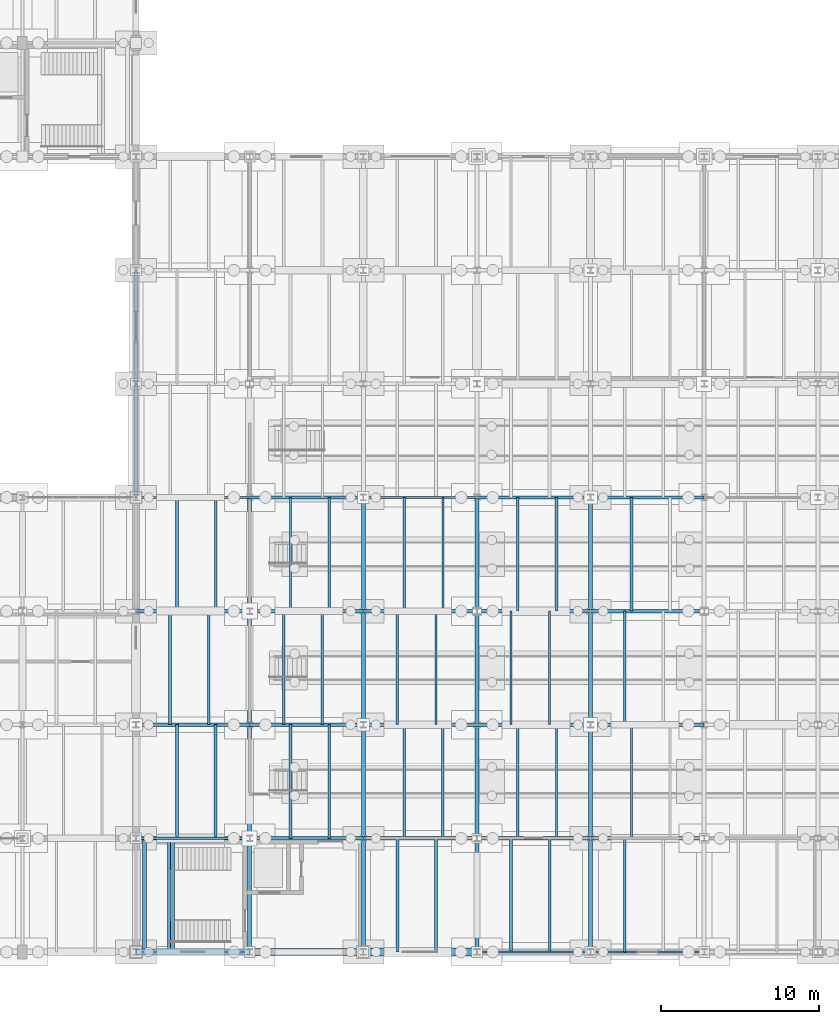
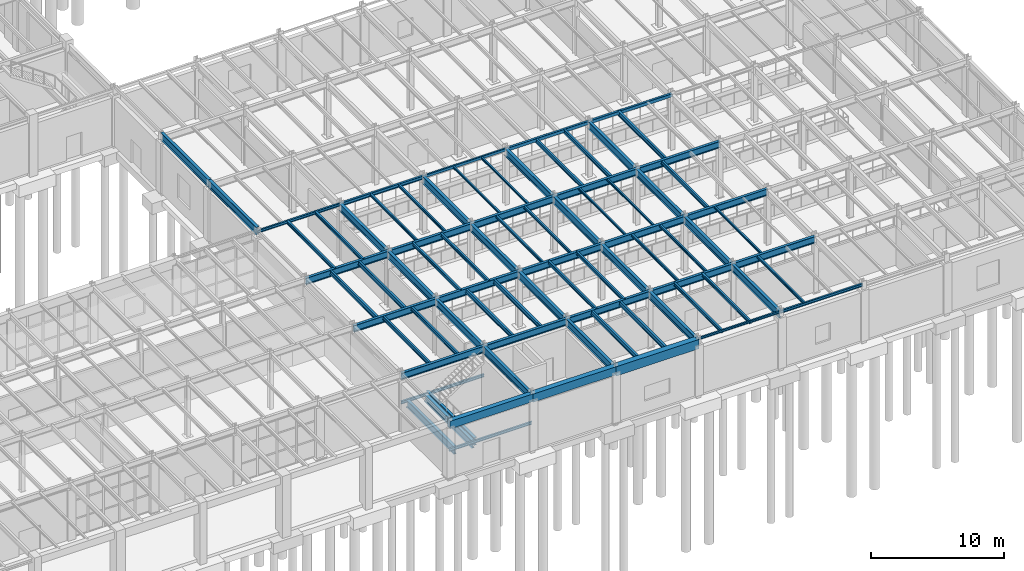
# One storey, part 161 of 293: 80 beams.
"""IFC4 building model written with IfcOpenShell, lengths in metres."""

from ifc_helpers import new_model, si_unit, direction, frame, origin, origin_2d, place, context, subcontext, project, spatial, rectangle, hollow_rectangle, i_section, extrude, material, material_profile, profile_set, type_object, element, save


model = new_model("IFC4")

# Units and contexts
model_context = context("Model", 3, precision=1e-05, world=origin(), true_north=direction((0.0, 1.0)))
body_context = subcontext(model_context, "Body", "Model", "MODEL_VIEW")
ifc_project = project(units=[si_unit("LENGTHUNIT", "METRE"), si_unit("AREAUNIT", "SQUARE_METRE"), si_unit("VOLUMEUNIT", "CUBIC_METRE"), si_unit("PLANEANGLEUNIT", "RADIAN"), si_unit("MASSUNIT", "GRAM", prefix="KILO")], contexts=[model_context])

# Site, building, storey
site_placement = place(None, origin())
site = spatial("IfcSite", under=ifc_project, at=site_placement, CompositionType="ELEMENT")
building_placement = place(site_placement, origin())
building = spatial("IfcBuilding", under=site, at=building_placement, Name="Kemerveld Promenade Tramway Depot", CompositionType="ELEMENT")
storey_placement = place(building_placement, origin())
storey = spatial("IfcBuildingStorey", under=building, at=storey_placement, Name="L00", CompositionType="ELEMENT", Elevation=0.0)

# Beams
ifc_material_1 = material(Name="Steel S355", Category="steel")
ifc_material_profile_1 = material_profile(ifc_material_1, i_section(OverallWidth=0.25439453125, OverallDepth=0.6875, WebThickness=0.01318359375, FlangeThickness=0.02099609375, FilletRadius=0.01513671875, at=origin_2d()), Name="686x254x152 UB")
ifc_profile_set_1 = profile_set([ifc_material_profile_1], Name="Steel S355")
beam_type_1 = type_object("IfcBeamType", Name="BM-G03", PredefinedType="BEAM", material=ifc_profile_set_1)
for number, where, z_axis, x_axis, name in (
    (1, (158.39990234375, 28.800048828125, 5.056396484375), (0.0, 1.0, 0.0), (-1.0, 0.0, 0.0), "BMY-L00-23-E-F"),
    (2, (158.39990234375, 36.0, 5.056396484375), (0.0, 1.0, 0.0), (-1.0, 0.0, 0.0), "BMY-L00-23-F-G"),
    (3, (165.60009765625, 0.0, 4.7763671875), (0.0, 1.0, 0.0), (-1.0, 0.0, 0.0), "BMY-L00-24-A-B"),
    (4, (165.60009765625, 7.199951171875, 4.7763671875), (0.0, 1.0, 0.0), (-1.0, 0.0, 0.0), "BMY-L00-24-B-C"),
):
    element("IfcBeam", number, at=place(storey_placement, frame(where, z_axis=z_axis, x_axis=x_axis)), inside=storey, type_object=beam_type_1, Name=name, PredefinedType="BEAM", context=body_context, shape_type="SweptSolid", body=[
        extrude(i_section(OverallWidth=0.25439453125, OverallDepth=0.6875, WebThickness=0.01318359375, FlangeThickness=0.02099609375, FilletRadius=0.01513671875, at=origin_2d()), origin(), (0.0, 0.0, 1.0), 7.199951171875),
    ])
beam_1_placement = place(storey_placement, frame((165.60009765625, 14.39990234375, 4.7763671875), z_axis=(0.0, 1.0, 0.0), x_axis=(-1.0, 0.0, 0.0)))
element("IfcBeam", 5, at=beam_1_placement, inside=storey, type_object=beam_type_1, Name="BMY-L00-24-C-D", PredefinedType="BEAM", context=body_context, shape_type="SweptSolid", body=[
    extrude(i_section(OverallWidth=0.25439453125, OverallDepth=0.6875, WebThickness=0.01318359375, FlangeThickness=0.02099609375, FilletRadius=0.01513671875, at=origin_2d()), origin(), (0.0, 0.0, 1.0), 7.2001953125),
])
for number, where, z_axis, x_axis, name in (
    (6, (165.60009765625, 21.60009765625, 4.7763671875), (0.0, 1.0, 0.0), (-1.0, 0.0, 0.0), "BMY-L00-24-D-E"),
    (7, (172.800048828125, 0.0, 4.7763671875), (0.0, 1.0, 0.0), (-1.0, 0.0, 0.0), "BMY-L00-25-A-B"),
    (8, (172.800048828125, 7.199951171875, 4.7763671875), (0.0, 1.0, 0.0), (-1.0, 0.0, 0.0), "BMY-L00-25-B-C"),
):
    element("IfcBeam", number, at=place(storey_placement, frame(where, z_axis=z_axis, x_axis=x_axis)), inside=storey, type_object=beam_type_1, Name=name, PredefinedType="BEAM", context=body_context, shape_type="SweptSolid", body=[
        extrude(i_section(OverallWidth=0.25439453125, OverallDepth=0.6875, WebThickness=0.01318359375, FlangeThickness=0.02099609375, FilletRadius=0.01513671875, at=origin_2d()), origin(), (0.0, 0.0, 1.0), 7.199951171875),
    ])
beam_2_placement = place(storey_placement, frame((172.800048828125, 14.39990234375, 4.7763671875), z_axis=(0.0, 1.0, 0.0), x_axis=(-1.0, 0.0, 0.0)))
element("IfcBeam", 9, at=beam_2_placement, inside=storey, type_object=beam_type_1, Name="BMY-L00-25-C-D", PredefinedType="BEAM", context=body_context, shape_type="SweptSolid", body=[
    extrude(i_section(OverallWidth=0.25439453125, OverallDepth=0.6875, WebThickness=0.01318359375, FlangeThickness=0.02099609375, FilletRadius=0.01513671875, at=origin_2d()), origin(), (0.0, 0.0, 1.0), 7.2001953125),
])
for number, where, z_axis, x_axis, name in (
    (10, (172.800048828125, 21.60009765625, 4.7763671875), (0.0, 1.0, 0.0), (-1.0, 0.0, 0.0), "BMY-L00-25-D-E"),
    (11, (180.0, 0.0, 4.7763671875), (0.0, 1.0, 0.0), (-1.0, 0.0, 0.0), "BMY-L00-26-A-B"),
    (12, (180.0, 7.199951171875, 4.7763671875), (0.0, 1.0, 0.0), (-1.0, 0.0, 0.0), "BMY-L00-26-B-C"),
):
    element("IfcBeam", number, at=place(storey_placement, frame(where, z_axis=z_axis, x_axis=x_axis)), inside=storey, type_object=beam_type_1, Name=name, PredefinedType="BEAM", context=body_context, shape_type="SweptSolid", body=[
        extrude(i_section(OverallWidth=0.25439453125, OverallDepth=0.6875, WebThickness=0.01318359375, FlangeThickness=0.02099609375, FilletRadius=0.01513671875, at=origin_2d()), origin(), (0.0, 0.0, 1.0), 7.199951171875),
    ])
beam_3_placement = place(storey_placement, frame((180.0, 14.39990234375, 4.7763671875), z_axis=(0.0, 1.0, 0.0), x_axis=(-1.0, 0.0, 0.0)))
element("IfcBeam", 13, at=beam_3_placement, inside=storey, type_object=beam_type_1, Name="BMY-L00-26-C-D", PredefinedType="BEAM", context=body_context, shape_type="SweptSolid", body=[
    extrude(i_section(OverallWidth=0.25439453125, OverallDepth=0.6875, WebThickness=0.01318359375, FlangeThickness=0.02099609375, FilletRadius=0.01513671875, at=origin_2d()), origin(), (0.0, 0.0, 1.0), 7.2001953125),
])
for number, where, z_axis, x_axis, name in (
    (14, (180.0, 21.60009765625, 4.7763671875), (0.0, 1.0, 0.0), (-1.0, 0.0, 0.0), "BMY-L00-26-D-E"),
    (15, (187.199951171875, 0.0, 4.7763671875), (0.0, 1.0, 0.0), (-1.0, 0.0, 0.0), "BMY-L00-27-A-B"),
    (16, (187.199951171875, 7.199951171875, 4.7763671875), (0.0, 1.0, 0.0), (-1.0, 0.0, 0.0), "BMY-L00-27-B-C"),
):
    element("IfcBeam", number, at=place(storey_placement, frame(where, z_axis=z_axis, x_axis=x_axis)), inside=storey, type_object=beam_type_1, Name=name, PredefinedType="BEAM", context=body_context, shape_type="SweptSolid", body=[
        extrude(i_section(OverallWidth=0.25439453125, OverallDepth=0.6875, WebThickness=0.01318359375, FlangeThickness=0.02099609375, FilletRadius=0.01513671875, at=origin_2d()), origin(), (0.0, 0.0, 1.0), 7.199951171875),
    ])
beam_4_placement = place(storey_placement, frame((187.199951171875, 14.39990234375, 4.7763671875), z_axis=(0.0, 1.0, 0.0), x_axis=(-1.0, 0.0, 0.0)))
element("IfcBeam", 17, at=beam_4_placement, inside=storey, type_object=beam_type_1, Name="BMY-L00-27-C-D", PredefinedType="BEAM", context=body_context, shape_type="SweptSolid", body=[
    extrude(i_section(OverallWidth=0.25439453125, OverallDepth=0.6875, WebThickness=0.01318359375, FlangeThickness=0.02099609375, FilletRadius=0.01513671875, at=origin_2d()), origin(), (0.0, 0.0, 1.0), 7.2001953125),
])
for number, where, z_axis, x_axis, name in (
    (18, (187.199951171875, 21.60009765625, 4.7763671875), (0.0, 1.0, 0.0), (-1.0, 0.0, 0.0), "BMY-L00-27-D-E"),
    (19, (158.949951171875, 0.0, 2.15625), (0.0, 1.0, 0.0), (-1.0, 0.0, 0.0), "BM-HL-ST-05-L00-W"),
    (20, (160.510009765625, 0.0, 2.15625), (0.0, 1.0, 0.0), (-1.0, 0.0, 0.0), "BM-HL-ST-05-L00-M"),
    (21, (160.699951171875, 0.0, 2.356201171875), (0.0, 1.0, 0.0), (-1.0, 0.0, 0.0), "BM-HL-ST-05-L00-F2"),
):
    element("IfcBeam", number, at=place(storey_placement, frame(where, z_axis=z_axis, x_axis=x_axis)), inside=storey, type_object=beam_type_1, Name=name, PredefinedType="BEAM", context=body_context, shape_type="SweptSolid", body=[
        extrude(i_section(OverallWidth=0.25439453125, OverallDepth=0.6875, WebThickness=0.01318359375, FlangeThickness=0.02099609375, FilletRadius=0.01513671875, at=origin_2d()), origin(), (0.0, 0.0, 1.0), 7.199951171875),
    ])
ifc_material_profile_2 = material_profile(ifc_material_1, i_section(OverallWidth=0.22900390625, OverallDepth=0.6123046875, WebThickness=0.011962890625, FlangeThickness=0.01953125, FilletRadius=0.0126953125, at=origin_2d()), Name="610x229x125 UB")
ifc_profile_set_2 = profile_set([ifc_material_profile_2], Name="Steel S355")
beam_type_2 = type_object("IfcBeamType", Name="BM-G04", PredefinedType="BEAM", material=ifc_profile_set_2)
beam_5_placement = place(storey_placement, frame((158.39990234375, 7.199951171875, 4.81396484375), z_axis=(1.0, 0.0, 0.0), x_axis=(0.0, 1.0, 0.0)))
element("IfcBeam", 22, at=beam_5_placement, inside=storey, type_object=beam_type_2, Name="BMX-L00-23-24-B", PredefinedType="BEAM", context=body_context, shape_type="SweptSolid", body=[
    extrude(i_section(OverallWidth=0.22900390625, OverallDepth=0.6123046875, WebThickness=0.011962890625, FlangeThickness=0.01953125, FilletRadius=0.0126953125, at=origin_2d()), origin(), (0.0, 0.0, 1.0), 7.2001953125),
])
for number, where, z_axis, x_axis, name in (
    (23, (165.60009765625, 7.199951171875, 4.81396484375), (1.0, 0.0, 0.0), (0.0, 1.0, 0.0), "BMX-L00-24-25-B"),
    (24, (172.800048828125, 7.199951171875, 4.81396484375), (1.0, 0.0, 0.0), (0.0, 1.0, 0.0), "BMX-L00-25-26-B"),
    (25, (180.0, 7.199951171875, 4.81396484375), (1.0, 0.0, 0.0), (0.0, 1.0, 0.0), "BMX-L00-26-27-B"),
    (26, (187.199951171875, 7.199951171875, 4.81396484375), (1.0, 0.0, 0.0), (0.0, 1.0, 0.0), "BMX-L00-27-28-B"),
):
    element("IfcBeam", number, at=place(storey_placement, frame(where, z_axis=z_axis, x_axis=x_axis)), inside=storey, type_object=beam_type_2, Name=name, PredefinedType="BEAM", context=body_context, shape_type="SweptSolid", body=[
        extrude(i_section(OverallWidth=0.22900390625, OverallDepth=0.6123046875, WebThickness=0.011962890625, FlangeThickness=0.01953125, FilletRadius=0.0126953125, at=origin_2d()), origin(), (0.0, 0.0, 1.0), 7.199951171875),
    ])
beam_6_placement = place(storey_placement, frame((158.39990234375, 14.39990234375, 4.81396484375), z_axis=(1.0, 0.0, 0.0), x_axis=(0.0, 1.0, 0.0)))
element("IfcBeam", 27, at=beam_6_placement, inside=storey, type_object=beam_type_2, Name="BMX-L00-23-24-C", PredefinedType="BEAM", context=body_context, shape_type="SweptSolid", body=[
    extrude(i_section(OverallWidth=0.22900390625, OverallDepth=0.6123046875, WebThickness=0.011962890625, FlangeThickness=0.01953125, FilletRadius=0.0126953125, at=origin_2d()), origin(), (0.0, 0.0, 1.0), 7.2001953125),
])
for number, where, z_axis, x_axis, name in (
    (28, (165.60009765625, 14.39990234375, 4.81396484375), (1.0, 0.0, 0.0), (0.0, 1.0, 0.0), "BMX-L00-24-25-C"),
    (29, (172.800048828125, 14.39990234375, 4.81396484375), (1.0, 0.0, 0.0), (0.0, 1.0, 0.0), "BMX-L00-25-26-C"),
    (30, (180.0, 14.39990234375, 4.81396484375), (1.0, 0.0, 0.0), (0.0, 1.0, 0.0), "BMX-L00-26-27-C"),
    (31, (187.199951171875, 14.39990234375, 4.81396484375), (1.0, 0.0, 0.0), (0.0, 1.0, 0.0), "BMX-L00-27-28-C"),
):
    element("IfcBeam", number, at=place(storey_placement, frame(where, z_axis=z_axis, x_axis=x_axis)), inside=storey, type_object=beam_type_2, Name=name, PredefinedType="BEAM", context=body_context, shape_type="SweptSolid", body=[
        extrude(i_section(OverallWidth=0.22900390625, OverallDepth=0.6123046875, WebThickness=0.011962890625, FlangeThickness=0.01953125, FilletRadius=0.0126953125, at=origin_2d()), origin(), (0.0, 0.0, 1.0), 7.199951171875),
    ])
beam_7_placement = place(storey_placement, frame((158.39990234375, 21.60009765625, 4.81396484375), z_axis=(1.0, 0.0, 0.0), x_axis=(0.0, 1.0, 0.0)))
element("IfcBeam", 32, at=beam_7_placement, inside=storey, type_object=beam_type_2, Name="BMX-L00-23-24-D", PredefinedType="BEAM", context=body_context, shape_type="SweptSolid", body=[
    extrude(i_section(OverallWidth=0.22900390625, OverallDepth=0.6123046875, WebThickness=0.011962890625, FlangeThickness=0.01953125, FilletRadius=0.0126953125, at=origin_2d()), origin(), (0.0, 0.0, 1.0), 7.2001953125),
])
for number, where, z_axis, x_axis, name in (
    (33, (165.60009765625, 21.60009765625, 4.81396484375), (1.0, 0.0, 0.0), (0.0, 1.0, 0.0), "BMX-L00-24-25-D"),
    (34, (172.800048828125, 21.60009765625, 4.81396484375), (1.0, 0.0, 0.0), (0.0, 1.0, 0.0), "BMX-L00-25-26-D"),
    (35, (180.0, 21.60009765625, 4.81396484375), (1.0, 0.0, 0.0), (0.0, 1.0, 0.0), "BMX-L00-26-27-D"),
    (36, (187.199951171875, 21.60009765625, 4.81396484375), (1.0, 0.0, 0.0), (0.0, 1.0, 0.0), "BMX-L00-27-28-D"),
):
    element("IfcBeam", number, at=place(storey_placement, frame(where, z_axis=z_axis, x_axis=x_axis)), inside=storey, type_object=beam_type_2, Name=name, PredefinedType="BEAM", context=body_context, shape_type="SweptSolid", body=[
        extrude(i_section(OverallWidth=0.22900390625, OverallDepth=0.6123046875, WebThickness=0.011962890625, FlangeThickness=0.01953125, FilletRadius=0.0126953125, at=origin_2d()), origin(), (0.0, 0.0, 1.0), 7.199951171875),
    ])
ifc_material_profile_3 = material_profile(ifc_material_1, i_section(OverallWidth=0.13330078125, OverallDepth=0.203125, WebThickness=0.005615234375, FlangeThickness=0.0078125, FilletRadius=0.007568359375, at=origin_2d()), Name="203x133x25 UB")
ifc_profile_set_3 = profile_set([ifc_material_profile_3], Name="Steel S355")
beam_type_3 = type_object("IfcBeamType", Name="BM-G14", PredefinedType="BEAM", material=ifc_profile_set_3)
beam_8_placement = place(storey_placement, frame((180.0, 0.0, 5.018310546875), z_axis=(1.0, 0.0, 0.0), x_axis=(0.0, 1.0, 0.0)))
element("IfcBeam", 37, at=beam_8_placement, inside=storey, type_object=beam_type_3, Name="BMX-L00-26-27-A", PredefinedType="BEAM", context=body_context, shape_type="SweptSolid", body=[
    extrude(i_section(OverallWidth=0.13330078125, OverallDepth=0.203125, WebThickness=0.005615234375, FlangeThickness=0.0078125, FilletRadius=0.007568359375, at=origin_2d()), origin(), (0.0, 0.0, 1.0), 7.199951171875),
])
ifc_material_profile_4 = material_profile(ifc_material_1, i_section(OverallWidth=0.146484375, OverallDepth=0.256103515625, WebThickness=0.00634765625, FlangeThickness=0.010986328125, FilletRadius=0.007568359375, at=origin_2d()), Name="254x146x37 UB")
ifc_profile_set_4 = profile_set([ifc_material_profile_4], Name="Steel S355")
beam_type_4 = type_object("IfcBeamType", Name="BM-G15", PredefinedType="BEAM", material=ifc_profile_set_4)
beam_9_placement = place(storey_placement, frame((187.199951171875, 0.0, 4.991943359375), z_axis=(1.0, 0.0, 0.0), x_axis=(0.0, 1.0, 0.0)))
element("IfcBeam", 38, at=beam_9_placement, inside=storey, type_object=beam_type_4, Name="BMX-L00-27-28-A", PredefinedType="BEAM", context=body_context, shape_type="SweptSolid", body=[
    extrude(i_section(OverallWidth=0.146484375, OverallDepth=0.256103515625, WebThickness=0.00634765625, FlangeThickness=0.010986328125, FilletRadius=0.007568359375, at=origin_2d()), origin(), (0.0, 0.0, 1.0), 7.199951171875),
])
beam_10_placement = place(storey_placement, frame((158.39990234375, 28.800048828125, 4.991943359375), z_axis=(1.0, 0.0, 0.0), x_axis=(0.0, 1.0, 0.0)))
element("IfcBeam", 39, at=beam_10_placement, inside=storey, type_object=beam_type_4, Name="BMX-L00-23-24-E", PredefinedType="BEAM", context=body_context, shape_type="SweptSolid", body=[
    extrude(i_section(OverallWidth=0.146484375, OverallDepth=0.256103515625, WebThickness=0.00634765625, FlangeThickness=0.010986328125, FilletRadius=0.007568359375, at=origin_2d()), origin(), (0.0, 0.0, 1.0), 7.2001953125),
])
ifc_material_profile_5 = material_profile(ifc_material_1, i_section(OverallWidth=0.165771484375, OverallDepth=0.306640625, WebThickness=0.006591796875, FlangeThickness=0.01171875, FilletRadius=0.0087890625, at=origin_2d()), Name="305x165x46 UB")
ifc_profile_set_5 = profile_set([ifc_material_profile_5], Name="Steel S355")
beam_type_5 = type_object("IfcBeamType", Name="BM-G16", PredefinedType="BEAM", material=ifc_profile_set_5)
beam_11_placement = place(storey_placement, frame((165.60009765625, 28.800048828125, 4.966796875), z_axis=(1.0, 0.0, 0.0), x_axis=(0.0, 1.0, 0.0)))
element("IfcBeam", 40, at=beam_11_placement, inside=storey, type_object=beam_type_5, Name="BMX-L00-24-25-E", PredefinedType="BEAM", context=body_context, shape_type="SweptSolid", body=[
    extrude(i_section(OverallWidth=0.165771484375, OverallDepth=0.306640625, WebThickness=0.006591796875, FlangeThickness=0.01171875, FilletRadius=0.0087890625, at=origin_2d()), origin(), (0.0, 0.0, 1.0), 7.199951171875),
])
ifc_material_profile_6 = material_profile(ifc_material_1, hollow_rectangle(XDim=0.14990234375, YDim=0.25, WallThickness=0.010009765625, InnerFilletRadius=0.0048828125, OuterFilletRadius=0.014892578125, at=origin_2d()), Name="250x150x10.0 RHS")
ifc_profile_set_6 = profile_set([ifc_material_profile_6], Name="Steel S355")
beam_type_6 = type_object("IfcBeamType", Name="BM-G17", PredefinedType="BEAM", material=ifc_profile_set_6)
beam_12_placement = place(storey_placement, frame((172.800048828125, 28.800048828125, 4.9951171875), z_axis=(1.0, 0.0, 0.0), x_axis=(0.0, 1.0, 0.0)))
element("IfcBeam", 41, at=beam_12_placement, inside=storey, type_object=beam_type_6, Name="BMX-L00-25-26-E", PredefinedType="BEAM", context=body_context, shape_type="SweptSolid", body=[
    extrude(hollow_rectangle(XDim=0.14990234375, YDim=0.25, WallThickness=0.010009765625, InnerFilletRadius=0.0048828125, OuterFilletRadius=0.014892578125, at=origin_2d()), origin(), (0.0, 0.0, 1.0), 7.199951171875),
])
ifc_material_profile_7 = material_profile(ifc_material_1, hollow_rectangle(XDim=0.199951171875, YDim=0.300048828125, WallThickness=0.012451171875, InnerFilletRadius=0.00634765625, OuterFilletRadius=0.018798828125, at=origin_2d()), Name="300x200x12.5 RHS")
ifc_profile_set_7 = profile_set([ifc_material_profile_7], Name="Steel S355")
beam_type_7 = type_object("IfcBeamType", Name="BM-G18", PredefinedType="BEAM", material=ifc_profile_set_7)
beam_13_placement = place(storey_placement, frame((180.0, 28.800048828125, 4.969970703125), z_axis=(1.0, 0.0, 0.0), x_axis=(0.0, 1.0, 0.0)))
element("IfcBeam", 42, at=beam_13_placement, inside=storey, type_object=beam_type_7, Name="BMX-L00-26-27-E", PredefinedType="BEAM", context=body_context, shape_type="SweptSolid", body=[
    extrude(hollow_rectangle(XDim=0.199951171875, YDim=0.300048828125, WallThickness=0.012451171875, InnerFilletRadius=0.00634765625, OuterFilletRadius=0.018798828125, at=origin_2d()), origin(), (0.0, 0.0, 1.0), 7.199951171875),
])
ifc_material_profile_8 = material_profile(ifc_material_1, i_section(OverallWidth=0.165771484375, OverallDepth=0.306640625, WebThickness=0.006591796875, FlangeThickness=0.01171875, FilletRadius=0.0087890625, at=origin_2d()), Name="305x165x46 UB")
ifc_profile_set_8 = profile_set([ifc_material_profile_8], Name="Steel S355")
beam_type_8 = type_object("IfcBeamType", Name="BM-J01", PredefinedType="JOIST", material=ifc_profile_set_8)
for number, where, z_axis, x_axis, name in (
    (43, (160.991943359375, 21.60009765625, 4.966796875), (0.0, 1.0, 0.0), (-1.0, 0.0, 0.0), "JST-L00-23-D-1"),
    (44, (163.43994140625, 21.60009765625, 4.966796875), (0.0, 1.0, 0.0), (-1.0, 0.0, 0.0), "JST-L00-23-D-2"),
):
    element("IfcBeam", number, at=place(storey_placement, frame(where, z_axis=z_axis, x_axis=x_axis)), inside=storey, type_object=beam_type_8, Name=name, PredefinedType="JOIST", context=body_context, shape_type="SweptSolid", body=[
        extrude(i_section(OverallWidth=0.165771484375, OverallDepth=0.306640625, WebThickness=0.006591796875, FlangeThickness=0.01171875, FilletRadius=0.0087890625, at=origin_2d()), origin(), (0.0, 0.0, 1.0), 7.199951171875),
    ])
for number, where, z_axis, x_axis, name in (
    (45, (167.760009765625, 14.39990234375, 4.966796875), (0.0, 1.0, 0.0), (-1.0, 0.0, 0.0), "JST-L00-24-C-1"),
    (46, (170.2080078125, 14.39990234375, 4.966796875), (0.0, 1.0, 0.0), (-1.0, 0.0, 0.0), "JST-L00-24-C-2"),
):
    element("IfcBeam", number, at=place(storey_placement, frame(where, z_axis=z_axis, x_axis=x_axis)), inside=storey, type_object=beam_type_8, Name=name, PredefinedType="JOIST", context=body_context, shape_type="SweptSolid", body=[
        extrude(i_section(OverallWidth=0.165771484375, OverallDepth=0.306640625, WebThickness=0.006591796875, FlangeThickness=0.01171875, FilletRadius=0.0087890625, at=origin_2d()), origin(), (0.0, 0.0, 1.0), 7.2001953125),
    ])
for number, where, z_axis, x_axis, name in (
    (47, (175.39208984375, 7.199951171875, 4.966796875), (0.0, 1.0, 0.0), (-1.0, 0.0, 0.0), "JST-L00-25-B-1"),
    (48, (177.840087890625, 7.199951171875, 4.966796875), (0.0, 1.0, 0.0), (-1.0, 0.0, 0.0), "JST-L00-25-B-2"),
    (49, (182.159912109375, 0.0, 4.966796875), (0.0, 1.0, 0.0), (-1.0, 0.0, 0.0), "JST-L00-26-A-1"),
    (50, (184.60791015625, 0.0, 4.966796875), (0.0, 1.0, 0.0), (-1.0, 0.0, 0.0), "JST-L00-26-A-2"),
):
    element("IfcBeam", number, at=place(storey_placement, frame(where, z_axis=z_axis, x_axis=x_axis)), inside=storey, type_object=beam_type_8, Name=name, PredefinedType="JOIST", context=body_context, shape_type="SweptSolid", body=[
        extrude(i_section(OverallWidth=0.165771484375, OverallDepth=0.306640625, WebThickness=0.006591796875, FlangeThickness=0.01171875, FilletRadius=0.0087890625, at=origin_2d()), origin(), (0.0, 0.0, 1.0), 7.199951171875),
    ])
ifc_material_profile_9 = material_profile(ifc_material_1, i_section(OverallWidth=0.146484375, OverallDepth=0.256103515625, WebThickness=0.00634765625, FlangeThickness=0.010986328125, FilletRadius=0.007568359375, at=origin_2d()), Name="254x146x37 UB")
ifc_profile_set_9 = profile_set([ifc_material_profile_9], Name="Steel S355")
beam_type_9 = type_object("IfcBeamType", Name="BM-J02", PredefinedType="JOIST", material=ifc_profile_set_9)
for number, where, z_axis, x_axis, name in (
    (51, (168.19189453125, 21.60009765625, 4.991943359375), (0.0, 1.0, 0.0), (-1.0, 0.0, 0.0), "JST-L00-24-D-1"),
    (52, (170.639892578125, 21.60009765625, 4.991943359375), (0.0, 1.0, 0.0), (-1.0, 0.0, 0.0), "JST-L00-24-D-2"),
):
    element("IfcBeam", number, at=place(storey_placement, frame(where, z_axis=z_axis, x_axis=x_axis)), inside=storey, type_object=beam_type_9, Name=name, PredefinedType="JOIST", context=body_context, shape_type="SweptSolid", body=[
        extrude(i_section(OverallWidth=0.146484375, OverallDepth=0.256103515625, WebThickness=0.00634765625, FlangeThickness=0.010986328125, FilletRadius=0.007568359375, at=origin_2d()), origin(), (0.0, 0.0, 1.0), 7.199951171875),
    ])
for number, where, z_axis, x_axis, name in (
    (53, (174.9599609375, 14.39990234375, 4.991943359375), (0.0, 1.0, 0.0), (-1.0, 0.0, 0.0), "JST-L00-25-C-1"),
    (54, (177.407958984375, 14.39990234375, 4.991943359375), (0.0, 1.0, 0.0), (-1.0, 0.0, 0.0), "JST-L00-25-C-2"),
):
    element("IfcBeam", number, at=place(storey_placement, frame(where, z_axis=z_axis, x_axis=x_axis)), inside=storey, type_object=beam_type_9, Name=name, PredefinedType="JOIST", context=body_context, shape_type="SweptSolid", body=[
        extrude(i_section(OverallWidth=0.146484375, OverallDepth=0.256103515625, WebThickness=0.00634765625, FlangeThickness=0.010986328125, FilletRadius=0.007568359375, at=origin_2d()), origin(), (0.0, 0.0, 1.0), 7.2001953125),
    ])
for number, where, z_axis, x_axis, name in (
    (55, (182.592041015625, 7.199951171875, 4.991943359375), (0.0, 1.0, 0.0), (-1.0, 0.0, 0.0), "JST-L00-26-B-1"),
    (56, (185.0400390625, 7.199951171875, 4.991943359375), (0.0, 1.0, 0.0), (-1.0, 0.0, 0.0), "JST-L00-26-B-2"),
    (57, (189.360107421875, 0.0, 4.991943359375), (0.0, 1.0, 0.0), (-1.0, 0.0, 0.0), "JST-L00-27-A-1"),
):
    element("IfcBeam", number, at=place(storey_placement, frame(where, z_axis=z_axis, x_axis=x_axis)), inside=storey, type_object=beam_type_9, Name=name, PredefinedType="JOIST", context=body_context, shape_type="SweptSolid", body=[
        extrude(i_section(OverallWidth=0.146484375, OverallDepth=0.256103515625, WebThickness=0.00634765625, FlangeThickness=0.010986328125, FilletRadius=0.007568359375, at=origin_2d()), origin(), (0.0, 0.0, 1.0), 7.199951171875),
    ])
for number, where, z_axis, x_axis, name in (
    (58, (158.39990234375, 0.0, 2.3720703125), (1.0, 0.0, 0.0), (0.0, 1.0, 0.0), "BM-HLY-ST-05-L00-S"),
    (59, (158.39990234375, 7.199951171875, 2.3720703125), (1.0, 0.0, 0.0), (0.0, 1.0, 0.0), "BM-HLY-ST-05-L00-N"),
):
    element("IfcBeam", number, at=place(storey_placement, frame(where, z_axis=z_axis, x_axis=x_axis)), inside=storey, type_object=beam_type_9, Name=name, PredefinedType="JOIST", context=body_context, shape_type="SweptSolid", body=[
        extrude(i_section(OverallWidth=0.146484375, OverallDepth=0.256103515625, WebThickness=0.00634765625, FlangeThickness=0.010986328125, FilletRadius=0.007568359375, at=origin_2d()), origin(), (0.0, 0.0, 1.0), 7.2001953125),
    ])
ifc_material_profile_10 = material_profile(ifc_material_1, i_section(OverallWidth=0.13330078125, OverallDepth=0.203125, WebThickness=0.005615234375, FlangeThickness=0.0078125, FilletRadius=0.007568359375, at=origin_2d()), Name="203x133x25 UB")
ifc_profile_set_10 = profile_set([ifc_material_profile_10], Name="Steel S355")
beam_type_10 = type_object("IfcBeamType", Name="BM-J03", PredefinedType="JOIST", material=ifc_profile_set_10)
for number, where, z_axis, x_axis, name in (
    (60, (175.39208984375, 21.60009765625, 5.018310546875), (0.0, 1.0, 0.0), (-1.0, 0.0, 0.0), "JST-L00-25-D-1"),
    (61, (177.840087890625, 21.60009765625, 5.018310546875), (0.0, 1.0, 0.0), (-1.0, 0.0, 0.0), "JST-L00-25-D-2"),
):
    element("IfcBeam", number, at=place(storey_placement, frame(where, z_axis=z_axis, x_axis=x_axis)), inside=storey, type_object=beam_type_10, Name=name, PredefinedType="JOIST", context=body_context, shape_type="SweptSolid", body=[
        extrude(i_section(OverallWidth=0.13330078125, OverallDepth=0.203125, WebThickness=0.005615234375, FlangeThickness=0.0078125, FilletRadius=0.007568359375, at=origin_2d()), origin(), (0.0, 0.0, 1.0), 7.199951171875),
    ])
for number, where, z_axis, x_axis, name in (
    (62, (182.159912109375, 14.39990234375, 5.018310546875), (0.0, 1.0, 0.0), (-1.0, 0.0, 0.0), "JST-L00-26-C-1"),
    (63, (184.60791015625, 14.39990234375, 5.018310546875), (0.0, 1.0, 0.0), (-1.0, 0.0, 0.0), "JST-L00-26-C-2"),
):
    element("IfcBeam", number, at=place(storey_placement, frame(where, z_axis=z_axis, x_axis=x_axis)), inside=storey, type_object=beam_type_10, Name=name, PredefinedType="JOIST", context=body_context, shape_type="SweptSolid", body=[
        extrude(i_section(OverallWidth=0.13330078125, OverallDepth=0.203125, WebThickness=0.005615234375, FlangeThickness=0.0078125, FilletRadius=0.007568359375, at=origin_2d()), origin(), (0.0, 0.0, 1.0), 7.2001953125),
    ])
beam_14_placement = place(storey_placement, frame((189.7919921875, 7.199951171875, 5.018310546875), z_axis=(0.0, 1.0, 0.0), x_axis=(-1.0, 0.0, 0.0)))
element("IfcBeam", 64, at=beam_14_placement, inside=storey, type_object=beam_type_10, Name="JST-L00-27-B-1", PredefinedType="JOIST", context=body_context, shape_type="SweptSolid", body=[
    extrude(i_section(OverallWidth=0.13330078125, OverallDepth=0.203125, WebThickness=0.005615234375, FlangeThickness=0.0078125, FilletRadius=0.007568359375, at=origin_2d()), origin(), (0.0, 0.0, 1.0), 7.199951171875),
])
ifc_material_profile_11 = material_profile(ifc_material_1, i_section(OverallWidth=0.172119140625, OverallDepth=0.35791015625, WebThickness=0.008056640625, FlangeThickness=0.012939453125, FilletRadius=0.01025390625, at=origin_2d()), Name="356x171x57 UB")
ifc_profile_set_11 = profile_set([ifc_material_profile_11], Name="Steel S355")
beam_type_11 = type_object("IfcBeamType", Name="BM-J04", PredefinedType="JOIST", material=ifc_profile_set_11)
for number, where, z_axis, x_axis, name in (
    (65, (160.991943359375, 7.199951171875, 4.94091796875), (0.0, 1.0, 0.0), (-1.0, 0.0, 0.0), "JST-L00-23-B-1"),
    (66, (163.43994140625, 7.199951171875, 4.94091796875), (0.0, 1.0, 0.0), (-1.0, 0.0, 0.0), "JST-L00-23-B-2"),
    (67, (182.592041015625, 21.60009765625, 4.94091796875), (0.0, 1.0, 0.0), (-1.0, 0.0, 0.0), "JST-L00-26-D-1"),
    (68, (185.0400390625, 21.60009765625, 4.94091796875), (0.0, 1.0, 0.0), (-1.0, 0.0, 0.0), "JST-L00-26-D-2"),
):
    element("IfcBeam", number, at=place(storey_placement, frame(where, z_axis=z_axis, x_axis=x_axis)), inside=storey, type_object=beam_type_11, Name=name, PredefinedType="JOIST", context=body_context, shape_type="SweptSolid", body=[
        extrude(i_section(OverallWidth=0.172119140625, OverallDepth=0.35791015625, WebThickness=0.008056640625, FlangeThickness=0.012939453125, FilletRadius=0.01025390625, at=origin_2d()), origin(), (0.0, 0.0, 1.0), 7.199951171875),
    ])
beam_15_placement = place(storey_placement, frame((189.360107421875, 14.39990234375, 4.94091796875), z_axis=(0.0, 1.0, 0.0), x_axis=(-1.0, 0.0, 0.0)))
element("IfcBeam", 69, at=beam_15_placement, inside=storey, type_object=beam_type_11, Name="JST-L00-27-C-1", PredefinedType="JOIST", context=body_context, shape_type="SweptSolid", body=[
    extrude(i_section(OverallWidth=0.172119140625, OverallDepth=0.35791015625, WebThickness=0.008056640625, FlangeThickness=0.012939453125, FilletRadius=0.01025390625, at=origin_2d()), origin(), (0.0, 0.0, 1.0), 7.2001953125),
])
ifc_material_profile_12 = material_profile(ifc_material_1, i_section(OverallWidth=0.1787109375, OverallDepth=0.409423828125, WebThickness=0.0087890625, FlangeThickness=0.014404296875, FilletRadius=0.01025390625, at=origin_2d()), Name="406x178x67 UB")
ifc_profile_set_12 = profile_set([ifc_material_profile_12], Name="Steel S355")
beam_type_12 = type_object("IfcBeamType", Name="BM-J05", PredefinedType="JOIST", material=ifc_profile_set_12)
for number, where, z_axis, x_axis, name in (
    (70, (160.56005859375, 14.39990234375, 4.915283203125), (0.0, 1.0, 0.0), (-1.0, 0.0, 0.0), "JST-L00-23-C-1"),
    (71, (163.008056640625, 14.39990234375, 4.915283203125), (0.0, 1.0, 0.0), (-1.0, 0.0, 0.0), "JST-L00-23-C-2"),
):
    element("IfcBeam", number, at=place(storey_placement, frame(where, z_axis=z_axis, x_axis=x_axis)), inside=storey, type_object=beam_type_12, Name=name, PredefinedType="JOIST", context=body_context, shape_type="SweptSolid", body=[
        extrude(i_section(OverallWidth=0.1787109375, OverallDepth=0.409423828125, WebThickness=0.0087890625, FlangeThickness=0.014404296875, FilletRadius=0.01025390625, at=origin_2d()), origin(), (0.0, 0.0, 1.0), 7.2001953125),
    ])
for number, where, z_axis, x_axis, name in (
    (72, (168.19189453125, 7.199951171875, 4.915283203125), (0.0, 1.0, 0.0), (-1.0, 0.0, 0.0), "JST-L00-24-B-1"),
    (73, (170.639892578125, 7.199951171875, 4.915283203125), (0.0, 1.0, 0.0), (-1.0, 0.0, 0.0), "JST-L00-24-B-2"),
    (74, (174.9599609375, 0.0, 4.915283203125), (0.0, 1.0, 0.0), (-1.0, 0.0, 0.0), "JST-L00-25-A-1"),
    (75, (177.407958984375, 0.0, 4.915283203125), (0.0, 1.0, 0.0), (-1.0, 0.0, 0.0), "JST-L00-25-A-2"),
    (76, (189.7919921875, 21.60009765625, 4.915283203125), (0.0, 1.0, 0.0), (-1.0, 0.0, 0.0), "JST-L00-27-D-1"),
):
    element("IfcBeam", number, at=place(storey_placement, frame(where, z_axis=z_axis, x_axis=x_axis)), inside=storey, type_object=beam_type_12, Name=name, PredefinedType="JOIST", context=body_context, shape_type="SweptSolid", body=[
        extrude(i_section(OverallWidth=0.1787109375, OverallDepth=0.409423828125, WebThickness=0.0087890625, FlangeThickness=0.014404296875, FilletRadius=0.01025390625, at=origin_2d()), origin(), (0.0, 0.0, 1.0), 7.199951171875),
    ])
ifc_material_2 = material(Name="Concrete C40/50", Category="concrete")
ifc_material_profile_13 = material_profile(ifc_material_2, rectangle(XDim=0.39990234375, YDim=0.699951171875, at=origin_2d()), Name="RC-BM-400x700")
ifc_profile_set_13 = profile_set([ifc_material_profile_13], Name="Concrete C40/50")
beam_type_13 = type_object("IfcBeamType", Name="BM-RC5", PredefinedType="BEAM", material=ifc_profile_set_13)
beam_16_placement = place(storey_placement, frame((158.39990234375, 0.0, 4.77001953125), z_axis=(1.0, 0.0, 0.0), x_axis=(0.0, 1.0, 0.0)))
element("IfcBeam", 77, at=beam_16_placement, inside=storey, type_object=beam_type_13, Name="BMX-L00-23-24-A", PredefinedType="BEAM", context=body_context, shape_type="SweptSolid", body=[
    extrude(rectangle(XDim=0.39990234375, YDim=0.699951171875, at=origin_2d()), origin(), (0.0, 0.0, 1.0), 7.2001953125),
])
ifc_material_profile_14 = material_profile(ifc_material_2, rectangle(XDim=0.449951171875, YDim=0.75, at=origin_2d()), Name="RC-BM-450x750")
ifc_profile_set_14 = profile_set([ifc_material_profile_14], Name="Concrete C40/50")
beam_type_14 = type_object("IfcBeamType", Name="BM-RC6", PredefinedType="BEAM", material=ifc_profile_set_14)
beam_17_placement = place(storey_placement, frame((165.60009765625, 0.0, 4.7451171875), z_axis=(1.0, 0.0, 0.0), x_axis=(0.0, 1.0, 0.0)))
element("IfcBeam", 78, at=beam_17_placement, inside=storey, type_object=beam_type_14, Name="BMX-L00-24-25-A", PredefinedType="BEAM", context=body_context, shape_type="SweptSolid", body=[
    extrude(rectangle(XDim=0.449951171875, YDim=0.75, at=origin_2d()), origin(), (0.0, 0.0, 1.0), 7.199951171875),
])
ifc_material_profile_15 = material_profile(ifc_material_2, rectangle(XDim=0.5, YDim=0.85009765625, at=origin_2d()), Name="RC-BM-500x850")
ifc_profile_set_15 = profile_set([ifc_material_profile_15], Name="Concrete C40/50")
beam_type_15 = type_object("IfcBeamType", Name="BM-RC7", PredefinedType="BEAM", material=ifc_profile_set_15)
beam_18_placement = place(storey_placement, frame((172.800048828125, 0.0, 4.695068359375), z_axis=(1.0, 0.0, 0.0), x_axis=(0.0, 1.0, 0.0)))
element("IfcBeam", 79, at=beam_18_placement, inside=storey, type_object=beam_type_15, Name="BMX-L00-25-26-A", PredefinedType="BEAM", context=body_context, shape_type="SweptSolid", body=[
    extrude(rectangle(XDim=0.5, YDim=0.85009765625, at=origin_2d()), origin(), (0.0, 0.0, 1.0), 7.199951171875),
])
ifc_material_profile_16 = material_profile(ifc_material_1, hollow_rectangle(XDim=0.199951171875, YDim=0.300048828125, WallThickness=0.012451171875, InnerFilletRadius=0.00634765625, OuterFilletRadius=0.018798828125, at=origin_2d()), Name="300x200x12.5 RHS")
ifc_profile_set_16 = profile_set([ifc_material_profile_16], Name="Steel S355")
beam_type_16 = type_object("IfcBeamType", Name="BM-SP1", PredefinedType="SPANDREL", material=ifc_profile_set_16)
beam_19_placement = place(storey_placement, frame((187.199951171875, 28.800048828125, 4.969970703125), z_axis=(1.0, 0.0, 0.0), x_axis=(0.0, 1.0, 0.0)))
element("IfcBeam", 80, at=beam_19_placement, inside=storey, type_object=beam_type_16, Name="BMX-L00-27-28-E", PredefinedType="SPANDREL", context=body_context, shape_type="SweptSolid", body=[
    extrude(hollow_rectangle(XDim=0.199951171875, YDim=0.300048828125, WallThickness=0.012451171875, InnerFilletRadius=0.00634765625, OuterFilletRadius=0.018798828125, at=origin_2d()), origin(), (0.0, 0.0, 1.0), 7.199951171875),
])

save(model, "model.ifc")
